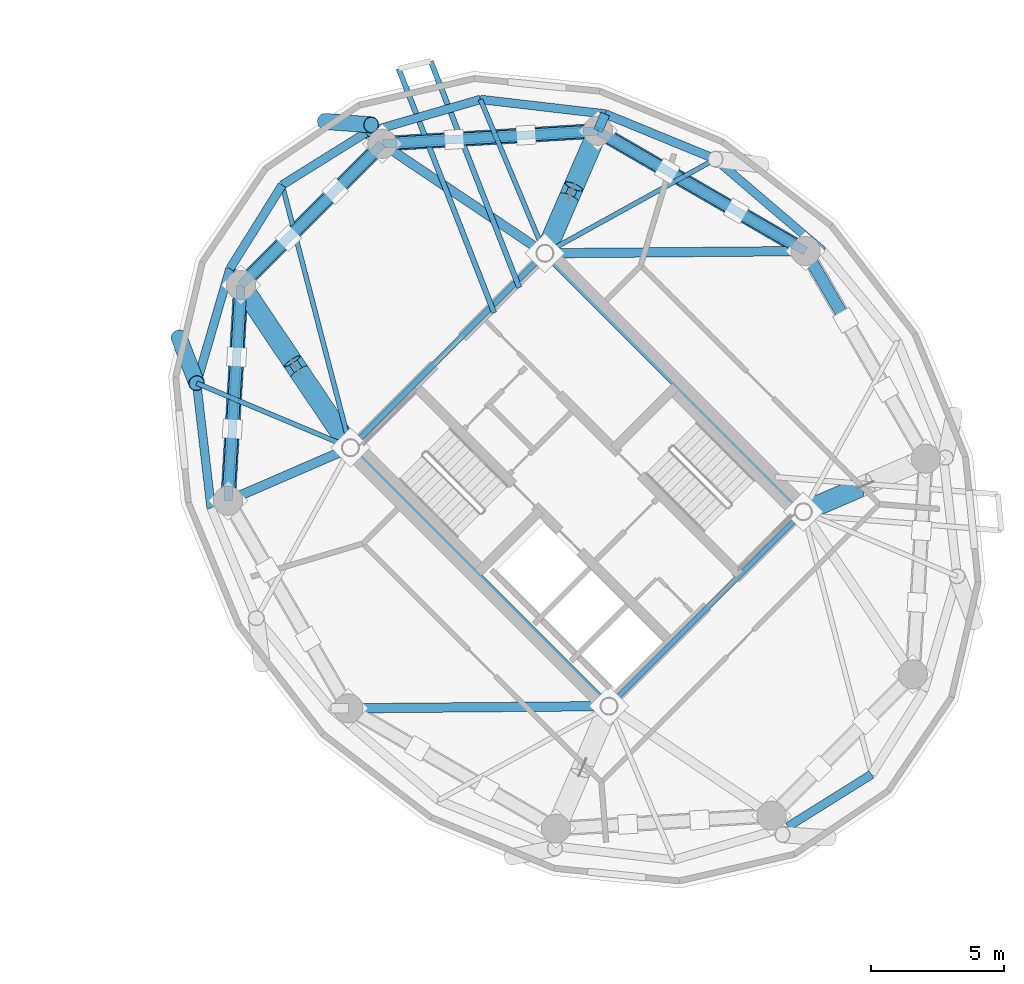
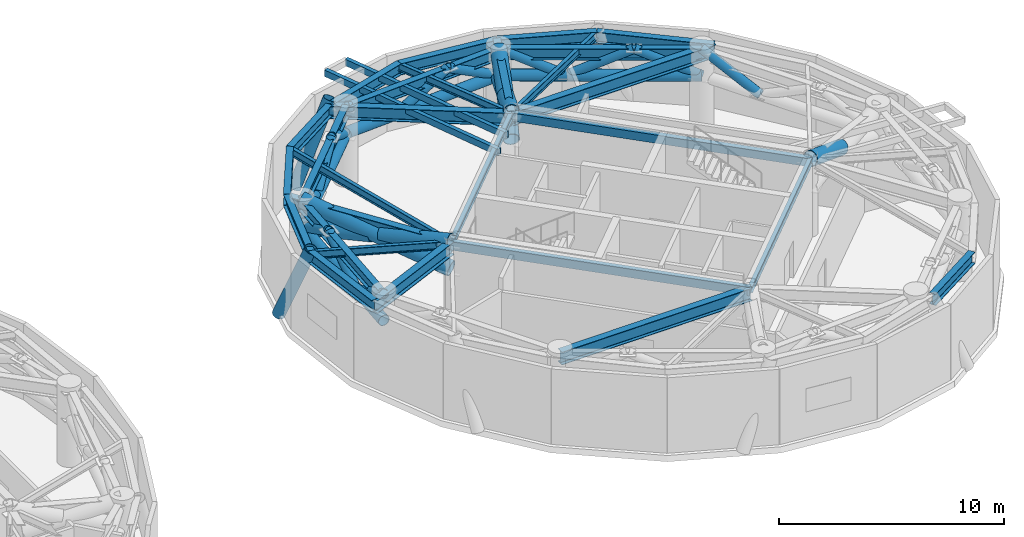
# One storey, part 4 of 14: 30 beams, 26 members.
"""IFC4 building model written with IfcOpenShell, lengths in metres."""

from ifc_helpers import new_model, si_unit, direction, frame, origin, origin_2d, place, context, subcontext, project, spatial, hollow_rectangle, hollow_circle, i_section, extrude, material, material_profile, profile_set, type_object, element, save


model = new_model("IFC4")

# Units and contexts
model_context = context("Model", 3, precision=1e-05, world=origin(), true_north=direction((0.0, 1.0)))
body_context = subcontext(model_context, "Body", "Model", "MODEL_VIEW")
ifc_project = project(units=[si_unit("LENGTHUNIT", "METRE"), si_unit("AREAUNIT", "SQUARE_METRE"), si_unit("VOLUMEUNIT", "CUBIC_METRE"), si_unit("PLANEANGLEUNIT", "RADIAN"), si_unit("MASSUNIT", "GRAM", prefix="KILO")], contexts=[model_context])

# Site, building, storey
site_placement = place(None, origin())
site = spatial("IfcSite", under=ifc_project, at=site_placement, CompositionType="ELEMENT")
building_placement = place(site_placement, origin())
building = spatial("IfcBuilding", under=site, at=building_placement, Name="Cununo Teusaquillo Station Towers", CompositionType="ELEMENT")
storey_placement = place(building_placement, frame((0.0, 0.0, 192.340087890625)))
storey = spatial("IfcBuildingStorey", under=building, at=storey_placement, Name="L61", CompositionType="ELEMENT", Elevation=192.340087890625)

# Beams
ifc_material_1 = material(Name="Steel EN 10025-2 S355J2", Category="steel")
ifc_material_profile_1 = material_profile(ifc_material_1, hollow_rectangle(XDim=0.199951171875, YDim=0.35009765625, WallThickness=0.013916015625, at=origin_2d()), Name="RHS 350x200x14")
ifc_profile_set_1 = profile_set([ifc_material_profile_1], Name="Steel EN 10025-2 S355J2")
beam_type_1 = type_object("IfcBeamType", Name="BM-BAL-CANT", PredefinedType="BEAM", material=ifc_profile_set_1)
beam_1_placement = place(storey_placement, frame((55.329345703125, 31.73388671875, 3.934814453125), z_axis=(-0.364356093101, 0.931259704605, 0.0), x_axis=(-0.931259704605, -0.364356093101, 0.0)))
element("IfcBeam", 1, at=beam_1_placement, inside=storey, type_object=beam_type_1, Name="L61 Tower B Balcony Cantilever Bracket 1A", PredefinedType="BEAM", context=body_context, shape_type="SweptSolid", body=[
    extrude(hollow_rectangle(XDim=0.199951171875, YDim=0.35009765625, WallThickness=0.013916015625, at=origin_2d()), origin(), (0.0, 0.0, 1.0), 9.151123046875),
])
beam_2_placement = place(storey_placement, frame((54.38134765625, 30.785888671875, 3.934814453125), z_axis=(-0.364348965109, 0.931262493406, 0.0), x_axis=(-0.931262493406, -0.364348965109, 0.0)))
element("IfcBeam", 2, at=beam_2_placement, inside=storey, type_object=beam_type_1, Name="L61 Tower B Balcony Cantilever Bracket 1B", PredefinedType="BEAM", context=body_context, shape_type="SweptSolid", body=[
    extrude(hollow_rectangle(XDim=0.199951171875, YDim=0.35009765625, WallThickness=0.013916015625, at=origin_2d()), origin(), (0.0, 0.0, 1.0), 9.8662109375),
])
ifc_material_2 = material(Name="Steel EN 10025-2 S355J2", Category="steel")
ifc_material_profile_2 = material_profile(ifc_material_2, hollow_rectangle(XDim=0.25, YDim=0.449951171875, WallThickness=0.01611328125, at=origin_2d()), Name="RHS 450x250x16")
ifc_profile_set_2 = profile_set([ifc_material_profile_2], Name="Steel EN 10025-2 S355J2")
beam_type_2 = type_object("IfcBeamType", Name="BM-COUP-1", PredefinedType="USERDEFINED", material=ifc_profile_set_2)
for number, where, z_axis, x_axis, name in (
    (3, (58.70556640625, 15.975830078125, 3.885009765625), (-0.707106781187, 0.707106781187, 0.0), (-0.707106781187, -0.707106781187, 0.0), "L61 Tower B Core Beam 1"),
    (4, (66.024169921875, 23.29443359375, 3.885009765625), (-0.707106781187, 0.707106781187, 0.0), (-0.707106781187, -0.707106781187, 0.0), "L61 Tower B Core Beam 2"),
):
    element("IfcBeam", number, at=place(storey_placement, frame(where, z_axis=z_axis, x_axis=x_axis)), inside=storey, type_object=beam_type_2, Name=name, ObjectType="COUPLING BEAM", PredefinedType="USERDEFINED", context=body_context, shape_type="SweptSolid", body=[
        extrude(hollow_rectangle(XDim=0.25, YDim=0.449951171875, WallThickness=0.01611328125, at=origin_2d()), origin(), (0.0, 0.0, 1.0), 13.760009765625),
    ])
ifc_material_3 = material(Name="Steel ASTM A572 Grade 50", Category="steel")
ifc_material_profile_3 = material_profile(ifc_material_3, i_section(OverallWidth=0.180908203125, OverallDepth=0.4169921875, WebThickness=0.010986328125, FlangeThickness=0.018310546875, FilletRadius=0.012939453125, at=origin_2d()), Name="W16X57")
ifc_profile_set_3 = profile_set([ifc_material_profile_3], Name="Steel ASTM A572 Grade 50")
beam_type_3 = type_object("IfcBeamType", Name="BM-JOIST-1", PredefinedType="JOIST", material=ifc_profile_set_3)
beam_3_placement = place(storey_placement, frame((56.29443359375, 33.024169921875, 3.9013671875), z_axis=(0.8753153358, 0.483552544108, 0.0), x_axis=(-0.483552544108, 0.8753153358, 0.0)))
element("IfcBeam", 5, at=beam_3_placement, inside=storey, type_object=beam_type_3, Name="L61 Tower B Radial Spandrel Joist V01", PredefinedType="JOIST", context=body_context, shape_type="SweptSolid", body=[
    extrude(i_section(OverallWidth=0.180908203125, OverallDepth=0.4169921875, WebThickness=0.010986328125, FlangeThickness=0.018310546875, FilletRadius=0.012939453125, at=origin_2d()), origin(), (0.0, 0.0, 1.0), 7.3330078125),
])
beam_4_placement = place(storey_placement, frame((56.29443359375, 33.024169921875, 3.9013671875), z_axis=(-0.386786389381, 0.922169338565, 0.0), x_axis=(-0.922169338565, -0.386786389381, 0.0)))
element("IfcBeam", 6, at=beam_4_placement, inside=storey, type_object=beam_type_3, Name="L61 Tower B Radial Spandrel Joist V03", PredefinedType="JOIST", context=body_context, shape_type="SweptSolid", body=[
    extrude(i_section(OverallWidth=0.180908203125, OverallDepth=0.4169921875, WebThickness=0.010986328125, FlangeThickness=0.018310546875, FilletRadius=0.012939453125, at=origin_2d()), origin(), (0.0, 0.0, 1.0), 6.281005859375),
])
beam_5_placement = place(storey_placement, frame((48.975830078125, 25.70556640625, 3.9013671875), z_axis=(-0.251559992432, 0.967841707206, 0.0), x_axis=(-0.967841707206, -0.251559992432, 0.0)))
element("IfcBeam", 7, at=beam_5_placement, inside=storey, type_object=beam_type_3, Name="L61 Tower B Radial Spandrel Joist V05", PredefinedType="JOIST", context=body_context, shape_type="SweptSolid", body=[
    extrude(i_section(OverallWidth=0.180908203125, OverallDepth=0.4169921875, WebThickness=0.010986328125, FlangeThickness=0.018310546875, FilletRadius=0.012939453125, at=origin_2d()), origin(), (0.0, 0.0, 1.0), 10.217529296875),
])
beam_6_placement = place(storey_placement, frame((48.975830078125, 25.70556640625, 3.9013671875), z_axis=(-0.922169338565, 0.386786389381, 0.0), x_axis=(-0.386786389381, -0.922169338565, 0.0)))
element("IfcBeam", 8, at=beam_6_placement, inside=storey, type_object=beam_type_3, Name="L61 Tower B Radial Spandrel Joist V07", PredefinedType="JOIST", context=body_context, shape_type="SweptSolid", body=[
    extrude(i_section(OverallWidth=0.180908203125, OverallDepth=0.4169921875, WebThickness=0.010986328125, FlangeThickness=0.018310546875, FilletRadius=0.012939453125, at=origin_2d()), origin(), (0.0, 0.0, 1.0), 6.281005859375),
])
ifc_material_4 = material(Name="Steel ASTM A572 Grade 50", Category="steel")
ifc_material_profile_4 = material_profile(ifc_material_4, i_section(OverallWidth=0.2041015625, OverallDepth=0.35009765625, WebThickness=0.008544921875, FlangeThickness=0.01513671875, FilletRadius=0.011962890625, at=origin_2d()), Name="W14X48")
ifc_profile_set_4 = profile_set([ifc_material_profile_4], Name="Steel ASTM A572 Grade 50")
beam_type_4 = type_object("IfcBeamType", Name="BM-LINTEL-1", PredefinedType="LINTEL", material=ifc_profile_set_4)
for number, where, z_axis, x_axis, name in (
    (9, (58.70556640625, 15.975830078125, 3.934814453125), (0.707106781187, 0.707106781187, 0.0), (-0.707106781187, 0.707106781187, 0.0), "L61 Tower B Core Beam 3"),
    (10, (48.975830078125, 25.70556640625, 3.934814453125), (0.707106781187, 0.707106781187, 0.0), (-0.707106781187, 0.707106781187, 0.0), "L61 Tower B Core Beam 4"),
):
    element("IfcBeam", number, at=place(storey_placement, frame(where, z_axis=z_axis, x_axis=x_axis)), inside=storey, type_object=beam_type_4, Name=name, PredefinedType="LINTEL", context=body_context, shape_type="SweptSolid", body=[
        extrude(i_section(OverallWidth=0.2041015625, OverallDepth=0.35009765625, WebThickness=0.008544921875, FlangeThickness=0.01513671875, FilletRadius=0.011962890625, at=origin_2d()), origin(), (0.0, 0.0, 1.0), 10.35009765625),
    ])
ifc_material_5 = material(Name="Steel ASTM A572 Grade 50", Category="steel")
ifc_material_profile_5 = material_profile(ifc_material_5, i_section(OverallWidth=0.35498046875, OverallDepth=0.696044921875, WebThickness=0.015380859375, FlangeThickness=0.02490234375, FilletRadius=0.01806640625, at=origin_2d()), Name="W27X146")
ifc_profile_set_5 = profile_set([ifc_material_profile_5], Name="Steel ASTM A572 Grade 50")
beam_type_5 = type_object("IfcBeamType", Name="BM-PLNT-G1", PredefinedType="BEAM", material=ifc_profile_set_5)
beam_7_placement = place(storey_placement, frame((56.29443359375, 33.024169921875, 3.761962890625), z_axis=(0.999964325253, 0.008446787673, 0.0), x_axis=(-0.008446787673, 0.999964325253, 0.0)))
element("IfcBeam", 11, at=beam_7_placement, inside=storey, type_object=beam_type_5, Name="L61 Tower B Continuous Overhanging Radial Girder 01", PredefinedType="BEAM", context=body_context, shape_type="SweptSolid", body=[
    extrude(i_section(OverallWidth=0.35498046875, OverallDepth=0.696044921875, WebThickness=0.015380859375, FlangeThickness=0.02490234375, FilletRadius=0.01806640625, at=origin_2d()), origin(), (0.0, 0.0, 1.0), 10.463134765625),
])
beam_8_placement = place(storey_placement, frame((56.29443359375, 33.024169921875, 3.761962890625), z_axis=(0.397346986387, 0.917668443616, 0.0), x_axis=(-0.917668443616, 0.397346986387, 0.0)))
element("IfcBeam", 12, at=beam_8_placement, inside=storey, type_object=beam_type_5, Name="L61 Tower B Radial Girder 02A", PredefinedType="BEAM", context=body_context, shape_type="SweptSolid", body=[
    extrude(i_section(OverallWidth=0.35498046875, OverallDepth=0.696044921875, WebThickness=0.015380859375, FlangeThickness=0.02490234375, FilletRadius=0.01806640625, at=origin_2d()), origin(), (0.0, 0.0, 1.0), 5.02490234375),
])
beam_9_placement = place(storey_placement, frame((58.291015625, 37.63525390625, 3.761962890625), z_axis=(0.397409333503, 0.917641445034, 0.0), x_axis=(-0.917641445034, 0.397409333503, 0.0)))
element("IfcBeam", 13, at=beam_9_placement, inside=storey, type_object=beam_type_5, Name="L61 Tower B Perimeter Overhang Girder 02B", PredefinedType="BEAM", context=body_context, shape_type="SweptSolid", body=[
    extrude(i_section(OverallWidth=0.35498046875, OverallDepth=0.696044921875, WebThickness=0.015380859375, FlangeThickness=0.02490234375, FilletRadius=0.01806640625, at=origin_2d()), origin(), (0.0, 0.0, 1.0), 0.691650390625),
])
for number, where, z_axis, x_axis, name in (
    (14, (56.29443359375, 33.024169921875, 3.761962890625), (-0.829456817529, 0.558570844079, 0.0), (-0.558570844079, -0.829456817529, 0.0), "L61 Tower B Continuous Overhanging Radial Girder 03"),
    (15, (48.975830078125, 25.70556640625, 3.761962890625), (-0.558570844079, 0.829456817529, 0.0), (-0.829456817529, -0.558570844079, 0.0), "L61 Tower B Continuous Overhanging Radial Girder 04"),
):
    element("IfcBeam", number, at=place(storey_placement, frame(where, z_axis=z_axis, x_axis=x_axis)), inside=storey, type_object=beam_type_5, Name=name, PredefinedType="BEAM", context=body_context, shape_type="SweptSolid", body=[
        extrude(i_section(OverallWidth=0.35498046875, OverallDepth=0.696044921875, WebThickness=0.015380859375, FlangeThickness=0.02490234375, FilletRadius=0.01806640625, at=origin_2d()), origin(), (0.0, 0.0, 1.0), 8.1240234375),
    ])
beam_10_placement = place(storey_placement, frame((48.975830078125, 25.70556640625, 3.761962890625), z_axis=(-0.917665176837, -0.397354530893, 0.0), x_axis=(0.397354530893, -0.917665176837, 0.0)))
element("IfcBeam", 16, at=beam_10_placement, inside=storey, type_object=beam_type_5, Name="L61 Tower B Continuous Overhanging Radial Girder 05", PredefinedType="BEAM", context=body_context, shape_type="SweptSolid", body=[
    extrude(i_section(OverallWidth=0.35498046875, OverallDepth=0.696044921875, WebThickness=0.015380859375, FlangeThickness=0.02490234375, FilletRadius=0.01806640625, at=origin_2d()), origin(), (0.0, 0.0, 1.0), 5.716552734375),
])
beam_11_placement = place(storey_placement, frame((58.70556640625, 15.975830078125, 3.761962890625), z_axis=(-0.999964431382, -0.008434214327, 0.0), x_axis=(0.008434214327, -0.999964431382, 0.0)))
element("IfcBeam", 17, at=beam_11_placement, inside=storey, type_object=beam_type_5, Name="L61 Tower B Radial Girder 06A", PredefinedType="BEAM", context=body_context, shape_type="SweptSolid", body=[
    extrude(i_section(OverallWidth=0.35498046875, OverallDepth=0.696044921875, WebThickness=0.015380859375, FlangeThickness=0.02490234375, FilletRadius=0.01806640625, at=origin_2d()), origin(), (0.0, 0.0, 1.0), 9.812744140625),
])
ifc_material_6 = material(Name="Steel ASTM A572 Grade 50", Category="steel")
ifc_material_profile_6 = material_profile(ifc_material_6, i_section(OverallWidth=0.324951171875, OverallDepth=0.615966796875, WebThickness=0.013916015625, FlangeThickness=0.021484375, FilletRadius=0.01611328125, at=origin_2d()), Name="W24X117")
ifc_profile_set_6 = profile_set([ifc_material_profile_6], Name="Steel ASTM A572 Grade 50")
beam_type_6 = type_object("IfcBeamType", Name="BM-PLNT-G2", PredefinedType="BEAM", material=ifc_profile_set_6)
beam_12_placement = place(storey_placement, frame((66.10693359375, 33.10693359375, 3.802001953125), z_axis=(-0.865267103202, 0.501311121078, 0.0), x_axis=(-0.501311121078, -0.865267103202, 0.0)))
element("IfcBeam", 18, at=beam_12_placement, inside=storey, type_object=beam_type_6, Name="L61 Tower B Structural Column Ring Girder 01", PredefinedType="BEAM", context=body_context, shape_type="SweptSolid", body=[
    extrude(i_section(OverallWidth=0.324951171875, OverallDepth=0.615966796875, WebThickness=0.013916015625, FlangeThickness=0.021484375, FilletRadius=0.01611328125, at=origin_2d()), origin(), (0.0, 0.0, 1.0), 9.032958984375),
])
beam_13_placement = place(storey_placement, frame((58.291015625, 37.63525390625, 3.802001953125), z_axis=(-0.998190567048, -0.06012979176, 0.0), x_axis=(0.06012979176, -0.998190567048, 0.0)))
element("IfcBeam", 19, at=beam_13_placement, inside=storey, type_object=beam_type_6, Name="L61 Tower B Structural Column Ring Girder 02", PredefinedType="BEAM", context=body_context, shape_type="SweptSolid", body=[
    extrude(i_section(OverallWidth=0.324951171875, OverallDepth=0.615966796875, WebThickness=0.013916015625, FlangeThickness=0.021484375, FilletRadius=0.01611328125, at=origin_2d()), origin(), (0.0, 0.0, 1.0), 8.132568359375),
])
beam_14_placement = place(storey_placement, frame((50.173095703125, 37.146240234375, 3.802001953125), z_axis=(-0.707106781187, -0.707106781187, 0.0), x_axis=(0.707106781187, -0.707106781187, 0.0)))
element("IfcBeam", 20, at=beam_14_placement, inside=storey, type_object=beam_type_6, Name="L61 Tower B Structural Column Ring Girder 03", PredefinedType="BEAM", context=body_context, shape_type="SweptSolid", body=[
    extrude(i_section(OverallWidth=0.324951171875, OverallDepth=0.615966796875, WebThickness=0.013916015625, FlangeThickness=0.021484375, FilletRadius=0.01611328125, at=origin_2d()), origin(), (0.0, 0.0, 1.0), 7.522705078125),
])
beam_15_placement = place(storey_placement, frame((44.853759765625, 31.826904296875, 3.802001953125), z_axis=(-0.06012979176, -0.998190567048, 0.0), x_axis=(0.998190567048, -0.06012979176, 0.0)))
element("IfcBeam", 21, at=beam_15_placement, inside=storey, type_object=beam_type_6, Name="L61 Tower B Structural Column Ring Girder 04", PredefinedType="BEAM", context=body_context, shape_type="SweptSolid", body=[
    extrude(i_section(OverallWidth=0.324951171875, OverallDepth=0.615966796875, WebThickness=0.013916015625, FlangeThickness=0.021484375, FilletRadius=0.01611328125, at=origin_2d()), origin(), (0.0, 0.0, 1.0), 8.132568359375),
])
beam_16_placement = place(storey_placement, frame((66.757080078125, 33.112548828125, 3.802001953125), z_axis=(-0.760065778291, 0.649846145385, 0.0), x_axis=(-0.649846145385, -0.760065778291, 0.0)))
element("IfcBeam", 22, at=beam_16_placement, inside=storey, type_object=beam_type_6, Name="L61 Tower B Spandrel Ring Beam 01", PredefinedType="BEAM", context=body_context, shape_type="SweptSolid", body=[
    extrude(i_section(OverallWidth=0.324951171875, OverallDepth=0.615966796875, WebThickness=0.013916015625, FlangeThickness=0.021484375, FilletRadius=0.01611328125, at=origin_2d()), origin(), (0.0, 0.0, 1.0), 5.320556640625),
])
beam_17_placement = place(storey_placement, frame((62.713134765625, 36.570068359375, 3.802001953125), z_axis=(-0.925283830437, 0.379275405388, 0.0), x_axis=(-0.379275405388, -0.925283830437, 0.0)))
element("IfcBeam", 23, at=beam_17_placement, inside=storey, type_object=beam_type_6, Name="L61 Tower B Spandrel Ring Beam 02", PredefinedType="BEAM", context=body_context, shape_type="SweptSolid", body=[
    extrude(i_section(OverallWidth=0.324951171875, OverallDepth=0.615966796875, WebThickness=0.013916015625, FlangeThickness=0.021484375, FilletRadius=0.01611328125, at=origin_2d()), origin(), (0.0, 0.0, 1.0), 4.482177734375),
])
beam_18_placement = place(storey_placement, frame((58.56591796875, 38.27001953125, 3.802001953125), z_axis=(-0.993313022334, 0.115452326356, 0.0), x_axis=(-0.115452326356, -0.993313022334, 0.0)))
element("IfcBeam", 24, at=beam_18_placement, inside=storey, type_object=beam_type_6, Name="L61 Tower B Spandrel Ring Beam 03", PredefinedType="BEAM", context=body_context, shape_type="SweptSolid", body=[
    extrude(i_section(OverallWidth=0.324951171875, OverallDepth=0.615966796875, WebThickness=0.013916015625, FlangeThickness=0.021484375, FilletRadius=0.01611328125, at=origin_2d()), origin(), (0.0, 0.0, 1.0), 4.732666015625),
])
beam_19_placement = place(storey_placement, frame((53.864990234375, 38.81640625, 3.802001953125), z_axis=(-0.96014487762, -0.279502797802, 0.0), x_axis=(0.279502797802, -0.96014487762, 0.0)))
element("IfcBeam", 25, at=beam_19_placement, inside=storey, type_object=beam_type_6, Name="L61 Tower B Spandrel Ring Beam 04", PredefinedType="BEAM", context=body_context, shape_type="SweptSolid", body=[
    extrude(i_section(OverallWidth=0.324951171875, OverallDepth=0.615966796875, WebThickness=0.013916015625, FlangeThickness=0.021484375, FilletRadius=0.01611328125, at=origin_2d()), origin(), (0.0, 0.0, 1.0), 4.488037109375),
])
for number, where, z_axis, x_axis, name in (
    (26, (49.555908203125, 37.56201171875, 3.802001953125), (-0.848175505099, -0.529715312739, 0.0), (0.529715312739, -0.848175505099, 0.0), "L61 Tower B Spandrel Ring Beam 05"),
    (27, (46.405517578125, 35.594482421875, 3.802001953125), (-0.529715312739, -0.848175505099, 0.0), (0.848175505099, -0.529715312739, 0.0), "L61 Tower B Spandrel Ring Beam 06"),
):
    element("IfcBeam", number, at=place(storey_placement, frame(where, z_axis=z_axis, x_axis=x_axis)), inside=storey, type_object=beam_type_6, Name=name, PredefinedType="BEAM", context=body_context, shape_type="SweptSolid", body=[
        extrude(i_section(OverallWidth=0.324951171875, OverallDepth=0.615966796875, WebThickness=0.013916015625, FlangeThickness=0.021484375, FilletRadius=0.01611328125, at=origin_2d()), origin(), (0.0, 0.0, 1.0), 3.71435546875),
    ])
beam_20_placement = place(storey_placement, frame((44.43798828125, 32.444091796875, 3.802001953125), z_axis=(-0.279502797802, -0.96014487762, 0.0), x_axis=(0.96014487762, -0.279502797802, 0.0)))
element("IfcBeam", 28, at=beam_20_placement, inside=storey, type_object=beam_type_6, Name="L61 Tower B Spandrel Ring Beam 07", PredefinedType="BEAM", context=body_context, shape_type="SweptSolid", body=[
    extrude(i_section(OverallWidth=0.324951171875, OverallDepth=0.615966796875, WebThickness=0.013916015625, FlangeThickness=0.021484375, FilletRadius=0.01611328125, at=origin_2d()), origin(), (0.0, 0.0, 1.0), 4.488037109375),
])
beam_21_placement = place(storey_placement, frame((43.18359375, 28.135009765625, 3.802001953125), z_axis=(0.115452326356, -0.993313022334, 0.0), x_axis=(0.993313022334, 0.115452326356, 0.0)))
element("IfcBeam", 29, at=beam_21_placement, inside=storey, type_object=beam_type_6, Name="L61 Tower B Spandrel Ring Beam 08", PredefinedType="BEAM", context=body_context, shape_type="SweptSolid", body=[
    extrude(i_section(OverallWidth=0.324951171875, OverallDepth=0.615966796875, WebThickness=0.013916015625, FlangeThickness=0.021484375, FilletRadius=0.01611328125, at=origin_2d()), origin(), (0.0, 0.0, 1.0), 4.732666015625),
])
beam_22_placement = place(storey_placement, frame((65.444091796875, 11.43798828125, 3.802001953125), z_axis=(0.848175505099, 0.529715312739, 0.0), x_axis=(-0.529715312739, 0.848175505099, 0.0)))
element("IfcBeam", 30, at=beam_22_placement, inside=storey, type_object=beam_type_6, Name="L61 Tower B Spandrel Ring Beam 15", PredefinedType="BEAM", context=body_context, shape_type="SweptSolid", body=[
    extrude(i_section(OverallWidth=0.324951171875, OverallDepth=0.615966796875, WebThickness=0.013916015625, FlangeThickness=0.021484375, FilletRadius=0.01611328125, at=origin_2d()), origin(), (0.0, 0.0, 1.0), 3.71435546875),
])

# Members
ifc_material_7 = material(Name="Steel EN 10025-2 S355J2", Category="steel")
ifc_material_profile_7 = material_profile(ifc_material_7, hollow_circle(Radius=0.279541015625, WallThickness=0.02001953125, at=origin_2d()), Name="CHS 559x20")
ifc_profile_set_7 = profile_set([ifc_material_profile_7], Name="Steel EN 10025-2 S355J2")
member_type_1 = type_object("IfcMemberType", Name="MBR-BELT-CH", PredefinedType="CHORD", material=ifc_profile_set_7)
member_1_placement = place(storey_placement, frame((66.10693359375, 33.10693359375, 2.579833984375), z_axis=(-0.865267103202, 0.501311121078, 0.0), x_axis=(-0.501311121078, -0.865267103202, 0.0)))
element("IfcMember", 31, at=member_1_placement, inside=storey, type_object=member_type_1, Name="L61 Tower B Belt Truss Lower Chord 01", PredefinedType="CHORD", context=body_context, shape_type="SweptSolid", body=[
    extrude(hollow_circle(Radius=0.279541015625, WallThickness=0.02001953125, at=origin_2d()), origin(), (0.0, 0.0, 1.0), 9.032958984375),
])
member_2_placement = place(storey_placement, frame((58.291015625, 37.63525390625, 2.579833984375), z_axis=(-0.998190567048, -0.06012979176, 0.0), x_axis=(0.06012979176, -0.998190567048, 0.0)))
element("IfcMember", 32, at=member_2_placement, inside=storey, type_object=member_type_1, Name="L61 Tower B Belt Truss Lower Chord 02", PredefinedType="CHORD", context=body_context, shape_type="SweptSolid", body=[
    extrude(hollow_circle(Radius=0.279541015625, WallThickness=0.02001953125, at=origin_2d()), origin(), (0.0, 0.0, 1.0), 8.132568359375),
])
member_3_placement = place(storey_placement, frame((50.173095703125, 37.146240234375, 2.579833984375), z_axis=(-0.707106781187, -0.707106781187, 0.0), x_axis=(0.707106781187, -0.707106781187, 0.0)))
element("IfcMember", 33, at=member_3_placement, inside=storey, type_object=member_type_1, Name="L61 Tower B Belt Truss Lower Chord 03", PredefinedType="CHORD", context=body_context, shape_type="SweptSolid", body=[
    extrude(hollow_circle(Radius=0.279541015625, WallThickness=0.02001953125, at=origin_2d()), origin(), (0.0, 0.0, 1.0), 7.522705078125),
])
member_4_placement = place(storey_placement, frame((44.853759765625, 31.826904296875, 2.579833984375), z_axis=(-0.06012979176, -0.998190567048, 0.0), x_axis=(0.998190567048, -0.06012979176, 0.0)))
element("IfcMember", 34, at=member_4_placement, inside=storey, type_object=member_type_1, Name="L61 Tower B Belt Truss Lower Chord 04", PredefinedType="CHORD", context=body_context, shape_type="SweptSolid", body=[
    extrude(hollow_circle(Radius=0.279541015625, WallThickness=0.02001953125, at=origin_2d()), origin(), (0.0, 0.0, 1.0), 8.132568359375),
])
ifc_material_8 = material(Name="Steel EN 10025-2 S355J2", Category="steel")
ifc_material_profile_8 = material_profile(ifc_material_8, hollow_circle(Radius=0.228515625, WallThickness=0.01611328125, at=origin_2d()), Name="CHS 457x16")
ifc_profile_set_8 = profile_set([ifc_material_profile_8], Name="Steel EN 10025-2 S355J2")
member_type_2 = type_object("IfcMemberType", Name="MBR-BELT-WB", PredefinedType="BRACE", material=ifc_profile_set_8)
member_5_placement = place(storey_placement, frame((66.10693359375, 33.10693359375, 2.579833984375), z_axis=(-0.779542223735, 0.451683025898, 0.433931291255), x_axis=(-0.50134308018, -0.86524858622, 0.0)))
element("IfcMember", 35, at=member_5_placement, inside=storey, type_object=member_type_2, Name="L61 Tower B Belt Truss Warren Brace 01A", PredefinedType="BRACE", context=body_context, shape_type="SweptSolid", body=[
    extrude(hollow_circle(Radius=0.228515625, WallThickness=0.01611328125, at=origin_2d()), origin(), (0.0, 0.0, 1.0), 3.342041015625),
])
member_6_placement = place(storey_placement, frame((63.501708984375, 34.616455078125, 4.030029296875), z_axis=(-0.779567945118, 0.451624874587, -0.433945609034), x_axis=(-0.501282372441, -0.865283758706, 0.0)))
element("IfcMember", 36, at=member_6_placement, inside=storey, type_object=member_type_2, Name="L61 Tower B Belt Truss Warren Brace 01B", PredefinedType="BRACE", context=body_context, shape_type="SweptSolid", body=[
    extrude(hollow_circle(Radius=0.228515625, WallThickness=0.01611328125, at=origin_2d()), origin(), (0.0, 0.0, 1.0), 3.341796875),
])
member_7_placement = place(storey_placement, frame((60.896484375, 36.125732421875, 2.579833984375), z_axis=(-0.779570880763, 0.4516573047, 0.433906580934), x_axis=(-0.501307909048, -0.865268964153, 0.0)))
element("IfcMember", 37, at=member_7_placement, inside=storey, type_object=member_type_2, Name="L61 Tower B Belt Truss Warren Brace 01C", PredefinedType="BRACE", context=body_context, shape_type="SweptSolid", body=[
    extrude(hollow_circle(Radius=0.228515625, WallThickness=0.01611328125, at=origin_2d()), origin(), (0.0, 0.0, 1.0), 3.34228515625),
])
member_8_placement = place(storey_placement, frame((58.291015625, 37.63525390625, 2.579833984375), z_axis=(-0.880150214708, -0.053048844485, 0.471721760838), x_axis=(0.060163308645, -0.998188547466, 0.0)))
element("IfcMember", 38, at=member_8_placement, inside=storey, type_object=member_type_2, Name="L61 Tower B Belt Truss Warren Brace 02A", PredefinedType="BRACE", context=body_context, shape_type="SweptSolid", body=[
    extrude(hollow_circle(Radius=0.228515625, WallThickness=0.01611328125, at=origin_2d()), origin(), (0.0, 0.0, 1.0), 3.07421875),
])
for number, where, z_axis, x_axis, name in (
    (39, (55.585205078125, 37.47216796875, 4.030029296875), (-0.880171812473, -0.052965950823, -0.471690776443), (0.060068168794, -0.998194277232, 0.0), "L61 Tower B Belt Truss Warren Brace 02B"),
    (40, (52.879150390625, 37.309326171875, 2.579833984375), (-0.880168107732, -0.053045136771, 0.471688791044), (0.060157900347, -0.998188873423, 0.0), "L61 Tower B Belt Truss Warren Brace 02C"),
):
    element("IfcMember", number, at=place(storey_placement, frame(where, z_axis=z_axis, x_axis=x_axis)), inside=storey, type_object=member_type_2, Name=name, PredefinedType="BRACE", context=body_context, shape_type="SweptSolid", body=[
        extrude(hollow_circle(Radius=0.228515625, WallThickness=0.01611328125, at=origin_2d()), origin(), (0.0, 0.0, 1.0), 3.074462890625),
    ])
for number, where, z_axis, x_axis, name in (
    (41, (50.173095703125, 37.146240234375, 2.579833984375), (-0.61215134665, -0.61206706311, 0.500644224026), (0.707058097461, -0.707155461561, 0.0), "L61 Tower B Belt Truss Warren Brace 03A"),
    (42, (48.39990234375, 35.373291015625, 4.030029296875), (-0.612119767758, -0.612119767758, -0.500618397423), (0.707106781187, -0.707106781187, 0.0), "L61 Tower B Belt Truss Warren Brace 03B"),
    (43, (46.626708984375, 33.60009765625, 2.579833984375), (-0.61206706311, -0.61215134665, 0.500644224026), (0.707155461561, -0.707058097461, 0.0), "L61 Tower B Belt Truss Warren Brace 03C"),
):
    element("IfcMember", number, at=place(storey_placement, frame(where, z_axis=z_axis, x_axis=x_axis)), inside=storey, type_object=member_type_2, Name=name, PredefinedType="BRACE", context=body_context, shape_type="SweptSolid", body=[
        extrude(hollow_circle(Radius=0.228515625, WallThickness=0.01611328125, at=origin_2d()), origin(), (0.0, 0.0, 1.0), 2.896728515625),
    ])
for number, where, z_axis, x_axis, name in (
    (44, (44.853759765625, 31.826904296875, 2.579833984375), (-0.053045136771, -0.880168107732, 0.471688791044), (0.998188873423, -0.060157900347, 0.0), "L61 Tower B Belt Truss Warren Brace 04A"),
    (45, (44.690673828125, 29.120849609375, 4.030029296875), (-0.052965950823, -0.880171812473, -0.471690776443), (0.998194277232, -0.060068168794, 0.0), "L61 Tower B Belt Truss Warren Brace 04B"),
):
    element("IfcMember", number, at=place(storey_placement, frame(where, z_axis=z_axis, x_axis=x_axis)), inside=storey, type_object=member_type_2, Name=name, PredefinedType="BRACE", context=body_context, shape_type="SweptSolid", body=[
        extrude(hollow_circle(Radius=0.228515625, WallThickness=0.01611328125, at=origin_2d()), origin(), (0.0, 0.0, 1.0), 3.074462890625),
    ])
member_9_placement = place(storey_placement, frame((44.52783203125, 26.414794921875, 2.579833984375), z_axis=(-0.053048844485, -0.880150214708, 0.471721760838), x_axis=(0.998188547466, -0.060163308645, 0.0)))
element("IfcMember", 46, at=member_9_placement, inside=storey, type_object=member_type_2, Name="L61 Tower B Belt Truss Warren Brace 04C", PredefinedType="BRACE", context=body_context, shape_type="SweptSolid", body=[
    extrude(hollow_circle(Radius=0.228515625, WallThickness=0.01611328125, at=origin_2d()), origin(), (0.0, 0.0, 1.0), 3.07421875),
])
member_10_placement = place(storey_placement, frame((67.616455078125, 30.501708984375, 2.579833984375), z_axis=(-0.451683025898, 0.779542223735, 0.433931291255), x_axis=(-0.86524858622, -0.50134308018, 0.0)))
element("IfcMember", 47, at=member_10_placement, inside=storey, type_object=member_type_2, Name="L61 Tower B Belt Truss Warren Brace 10C", PredefinedType="BRACE", context=body_context, shape_type="SweptSolid", body=[
    extrude(hollow_circle(Radius=0.228515625, WallThickness=0.01611328125, at=origin_2d()), origin(), (0.0, 0.0, 1.0), 3.342041015625),
])
ifc_material_9 = material(Name="Steel EN 10025-2 S355J2", Category="steel")
ifc_material_profile_9 = material_profile(ifc_material_9, hollow_circle(Radius=0.304931640625, WallThickness=0.02001953125, at=origin_2d()), Name="CHS 610x20")
ifc_profile_set_9 = profile_set([ifc_material_profile_9], Name="Steel EN 10025-2 S355J2")
member_type_3 = type_object("IfcMemberType", Name="MBR-DIAG-Z3", PredefinedType="BRACE", material=ifc_profile_set_9)
member_11_placement = place(storey_placement, frame((48.018310546875, 37.988037109375, -0.14013671875), z_axis=(0.373100645401, -0.027619615132, 0.927379676972), x_axis=(0.073825244968, 0.99727119341, 0.0)))
element("IfcMember", 48, at=member_11_placement, inside=storey, type_object=member_type_3, Name="L61 Tower B Folded-Zigzag Diagrid Tube C04", PredefinedType="BRACE", context=body_context, shape_type="SweptSolid", body=[
    extrude(hollow_circle(Radius=0.304931640625, WallThickness=0.02001953125, at=origin_2d()), origin(), (0.0, 0.0, 1.0), 4.658447265625),
])
member_12_placement = place(storey_placement, frame((42.521240234375, 29.855224609375, -0.14013671875), z_axis=(0.141019381153, -0.366244953779, 0.919770714891), x_axis=(0.933212413609, 0.359325188493, 0.0)))
element("IfcMember", 49, at=member_12_placement, inside=storey, type_object=member_type_3, Name="L61 Tower B Folded-Zigzag Diagrid Tube C06", PredefinedType="BRACE", context=body_context, shape_type="SweptSolid", body=[
    extrude(hollow_circle(Radius=0.304931640625, WallThickness=0.02001953125, at=origin_2d()), origin(), (0.0, 0.0, 1.0), 4.69677734375),
])
ifc_material_10 = material(Name="Steel EN 10025-2 S355J2", Category="steel")
ifc_material_profile_10 = material_profile(ifc_material_10, hollow_circle(Radius=0.3798828125, WallThickness=0.031982421875, at=origin_2d()), Name="CHS 760x32")
ifc_profile_set_10 = profile_set([ifc_material_profile_10], Name="Steel EN 10025-2 S355J2")
member_type_4 = type_object("IfcMemberType", Name="MBR-OUTR-1", PredefinedType="STRUT", material=ifc_profile_set_10)
member_13_placement = place(storey_placement, frame((48.975830078125, 25.70556640625, 2.579833984375), z_axis=(-0.548075411556, 0.81390042608, 0.19281970769), x_axis=(-0.829466017323, -0.558557182486, 0.0)))
element("IfcMember", 50, at=member_13_placement, inside=storey, type_object=member_type_4, Name="L61 Tower B Outrigger Continuous Diagonal 1A", PredefinedType="STRUT", context=body_context, shape_type="SweptSolid", body=[
    extrude(hollow_circle(Radius=0.3798828125, WallThickness=0.031982421875, at=origin_2d()), origin(), (0.0, 0.0, 1.0), 7.52099609375),
])
for number, where, z_axis, x_axis, name in (
    (51, (48.975830078125, 25.70556640625, 4.030029296875), (-0.548129034563, 0.813871754762, -0.1927882991), (-0.829431580944, -0.558608317636, 0.0), "L61 Tower B Outrigger Split Upper Strut 1B1"),
    (52, (46.783203125, 28.96142578125, 3.258544921875), (-0.548049583811, 0.813926099607, -0.192784745412), (-0.829486374548, -0.558526950503, 0.0), "L61 Tower B Outrigger Split Lower Strut 1B2"),
):
    element("IfcMember", number, at=place(storey_placement, frame(where, z_axis=z_axis, x_axis=x_axis)), inside=storey, type_object=member_type_4, Name=name, PredefinedType="STRUT", context=body_context, shape_type="SweptSolid", body=[
        extrude(hollow_circle(Radius=0.3798828125, WallThickness=0.031982421875, at=origin_2d()), origin(), (0.0, 0.0, 1.0), 3.5205078125),
    ])
member_14_placement = place(storey_placement, frame((56.29443359375, 33.024169921875, 2.579833984375), z_axis=(0.381765404258, 0.881682953072, 0.277291085998), x_axis=(-0.917668443616, 0.397346986387, 0.0)))
element("IfcMember", 53, at=member_14_placement, inside=storey, type_object=member_type_4, Name="L61 Tower B Outrigger Continuous Diagonal 2A", PredefinedType="STRUT", context=body_context, shape_type="SweptSolid", body=[
    extrude(hollow_circle(Radius=0.3798828125, WallThickness=0.031982421875, at=origin_2d()), origin(), (0.0, 0.0, 1.0), 5.22998046875),
])
for number, where, z_axis, x_axis, name in (
    (54, (56.29443359375, 33.024169921875, 4.030029296875), (0.38177658201, 0.881663366694, -0.277337969376), (-0.917660982621, 0.397364217029, 0.0), "L61 Tower B Outrigger Split Upper Strut 2B1"),
    (55, (57.38427734375, 35.541259765625, 3.238525390625), (0.38177658201, 0.881663366694, -0.277337969376), (-0.917660982621, 0.397364217029, 0.0), "L61 Tower B Outrigger Split Lower Strut 2B2"),
    (56, (66.024169921875, 23.29443359375, 4.030029296875), (0.881663366694, 0.38177658201, -0.277337969376), (-0.397364217029, 0.917660982621, 0.0), "L61 Tower B Outrigger Split Upper Strut 4B1"),
):
    element("IfcMember", number, at=place(storey_placement, frame(where, z_axis=z_axis, x_axis=x_axis)), inside=storey, type_object=member_type_4, Name=name, PredefinedType="STRUT", context=body_context, shape_type="SweptSolid", body=[
        extrude(hollow_circle(Radius=0.3798828125, WallThickness=0.031982421875, at=origin_2d()), origin(), (0.0, 0.0, 1.0), 2.375),
    ])

save(model, "model.ifc")
